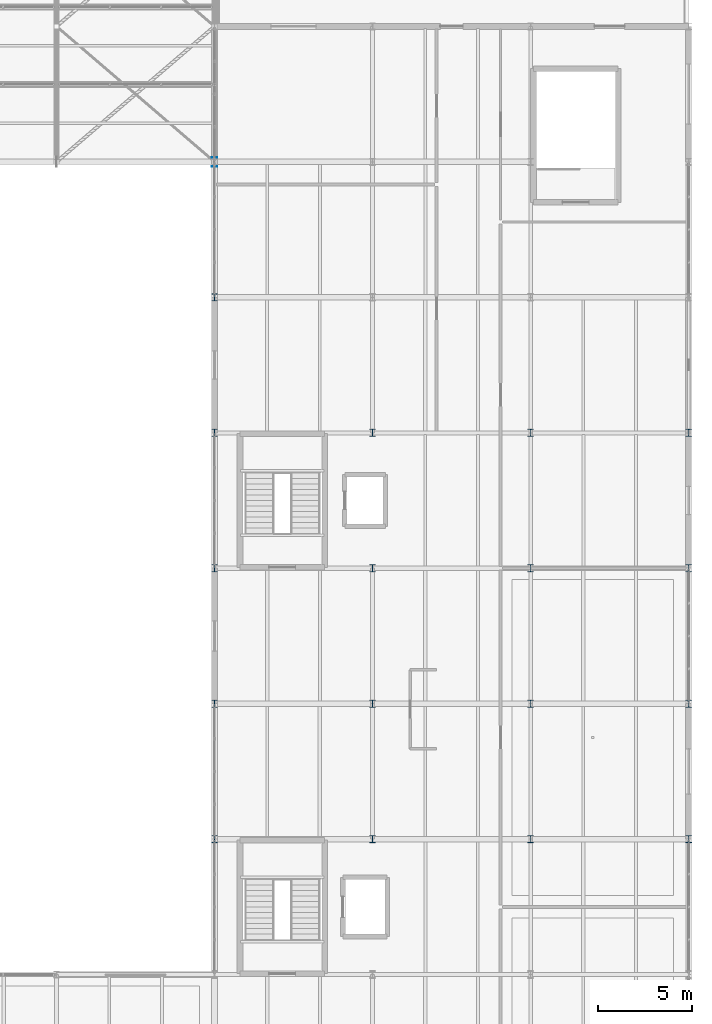
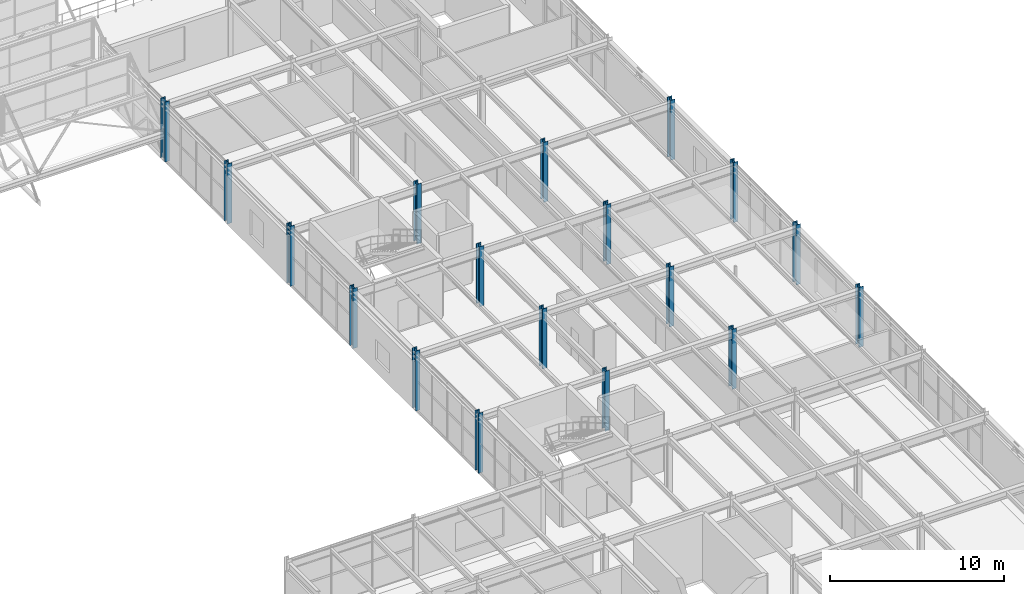
# One storey, part 4 of 134: 18 columns.
"""IFC4 building model written with IfcOpenShell, lengths in metres."""

from ifc_helpers import new_model, si_unit, derived_unit, direction, frame, origin, origin_2d, place, context, subcontext, project, spatial, i_section, extrude, material, material_profile, profile_set, type_object, element, save


model = new_model("IFC4")

# Units and contexts
model_context = context("Model", 3, precision=1e-05, world=origin(), true_north=direction((0.0, 1.0)))
body_context = subcontext(model_context, "Body", "Model", "MODEL_VIEW")
ifc_project = project(units=[si_unit("LENGTHUNIT", "METRE"), si_unit("AREAUNIT", "SQUARE_METRE"), si_unit("VOLUMEUNIT", "CUBIC_METRE"), si_unit("PLANEANGLEUNIT", "RADIAN"), si_unit("MASSUNIT", "GRAM", prefix="KILO"), derived_unit("THERMALTRANSMITTANCEUNIT", [(si_unit("MASSUNIT", "GRAM", prefix="KILO"), 1), (si_unit("TIMEUNIT", "SECOND"), -3), (si_unit("THERMODYNAMICTEMPERATUREUNIT", "KELVIN"), -1)])], contexts=[model_context])

# Site, building, storey
site_placement = place(None, origin())
site = spatial("IfcSite", under=ifc_project, at=site_placement, CompositionType="ELEMENT")
building_placement = place(site_placement, origin())
building = spatial("IfcBuilding", under=site, at=building_placement, Name="Kharveza Railside Sports Centre", CompositionType="ELEMENT")
storey_placement = place(building_placement, frame((0.0, 0.0, 12.89990234375)))
storey = spatial("IfcBuildingStorey", under=building, at=storey_placement, Name="L03", CompositionType="ELEMENT", Elevation=12.89990234375)

# Columns
ifc_material = material(Name="Steel S355J2", Category="steel")
ifc_material_profile_1 = material_profile(ifc_material, i_section(OverallWidth=0.300048828125, OverallDepth=0.5, WebThickness=0.014404296875, FlangeThickness=0.028076171875, FilletRadius=0.027099609375, at=origin_2d()), Name="HEB 500")
ifc_profile_set_1 = profile_set([ifc_material_profile_1], Name="Steel S355J2")
column_type_1 = type_object("IfcColumnType", Name="COL-S03", PredefinedType="COLUMN", material=ifc_profile_set_1)
column_placement = place(storey_placement, frame((142.800048828125, 79.199951171875, 0.0), z_axis=(0.0, 0.0, 1.0), x_axis=(1.0, 0.0, 0.0)))
element("IfcColumn", 1, at=column_placement, inside=storey, type_object=column_type_1, Name="COL-G-C03-X1428-Y792-L03", PredefinedType="COLUMN", context=body_context, shape_type="SweptSolid", body=[
    extrude(i_section(OverallWidth=0.300048828125, OverallDepth=0.5, WebThickness=0.014404296875, FlangeThickness=0.028076171875, FilletRadius=0.027099609375, at=origin_2d()), origin(), (0.0, 0.0, 1.0), 4.2001953125),
])
ifc_material_profile_2 = material_profile(ifc_material, i_section(OverallWidth=0.300048828125, OverallDepth=0.389892578125, WebThickness=0.010986328125, FlangeThickness=0.01904296875, FilletRadius=0.027099609375, at=origin_2d()), Name="HEA 400")
ifc_profile_set_2 = profile_set([ifc_material_profile_2], Name="Steel S355J2")
column_type_2 = type_object("IfcColumnType", Name="COL-S10", PredefinedType="COLUMN", material=ifc_profile_set_2)
for number, where, z_axis, x_axis, name in (
    (2, (142.800048828125, 43.199951171875, 0.0), (0.0, 0.0, 1.0), (1.0, 0.0, 0.0), "COL-G-C10-X1428-Y432-L03"),
    (3, (142.800048828125, 50.39990234375, 0.0), (0.0, 0.0, 1.0), (1.0, 0.0, 0.0), "COL-G-C10-X1428-Y504-L03"),
    (4, (142.800048828125, 57.60009765625, 0.0), (0.0, 0.0, 1.0), (1.0, 0.0, 0.0), "COL-G-C10-X1428-Y576-L03"),
    (5, (142.800048828125, 64.800048828125, 0.0), (0.0, 0.0, 1.0), (1.0, 0.0, 0.0), "COL-G-C10-X1428-Y648-L03"),
    (6, (142.800048828125, 72.0, 0.0), (0.0, 0.0, 1.0), (1.0, 0.0, 0.0), "COL-G-C10-X1428-Y720-L03"),
    (7, (151.199951171875, 43.199951171875, 0.0), (0.0, 0.0, 1.0), (1.0, 0.0, 0.0), "COL-G-C10-X1512-Y432-L03"),
    (8, (151.199951171875, 50.39990234375, 0.0), (0.0, 0.0, 1.0), (1.0, 0.0, 0.0), "COL-G-C10-X1512-Y504-L03"),
    (9, (151.199951171875, 57.60009765625, 0.0), (0.0, 0.0, 1.0), (1.0, 0.0, 0.0), "COL-G-C10-X1512-Y576-L03"),
    (10, (151.199951171875, 64.800048828125, 0.0), (0.0, 0.0, 1.0), (1.0, 0.0, 0.0), "COL-G-C10-X1512-Y648-L03"),
    (11, (159.60009765625, 43.199951171875, 0.0), (0.0, 0.0, 1.0), (1.0, 0.0, 0.0), "COL-G-C10-X1596-Y432-L03"),
    (12, (159.60009765625, 50.39990234375, 0.0), (0.0, 0.0, 1.0), (1.0, 0.0, 0.0), "COL-G-C10-X1596-Y504-L03"),
    (13, (159.60009765625, 57.60009765625, 0.0), (0.0, 0.0, 1.0), (1.0, 0.0, 0.0), "COL-G-C10-X1596-Y576-L03"),
    (14, (159.60009765625, 64.800048828125, 0.0), (0.0, 0.0, 1.0), (1.0, 0.0, 0.0), "COL-G-C10-X1596-Y648-L03"),
    (15, (168.0, 43.199951171875, 0.0), (0.0, 0.0, 1.0), (1.0, 0.0, 0.0), "COL-G-C10-X1680-Y432-L03"),
    (16, (168.0, 50.39990234375, 0.0), (0.0, 0.0, 1.0), (1.0, 0.0, 0.0), "COL-G-C10-X1680-Y504-L03"),
    (17, (168.0, 57.60009765625, 0.0), (0.0, 0.0, 1.0), (1.0, 0.0, 0.0), "COL-G-C10-X1680-Y576-L03"),
    (18, (168.0, 64.800048828125, 0.0), (0.0, 0.0, 1.0), (1.0, 0.0, 0.0), "COL-G-C10-X1680-Y648-L03"),
):
    element("IfcColumn", number, at=place(storey_placement, frame(where, z_axis=z_axis, x_axis=x_axis)), inside=storey, type_object=column_type_2, Name=name, PredefinedType="COLUMN", context=body_context, shape_type="SweptSolid", body=[
        extrude(i_section(OverallWidth=0.300048828125, OverallDepth=0.389892578125, WebThickness=0.010986328125, FlangeThickness=0.01904296875, FilletRadius=0.027099609375, at=origin_2d()), origin(), (0.0, 0.0, 1.0), 4.2001953125),
    ])

save(model, "model.ifc")
